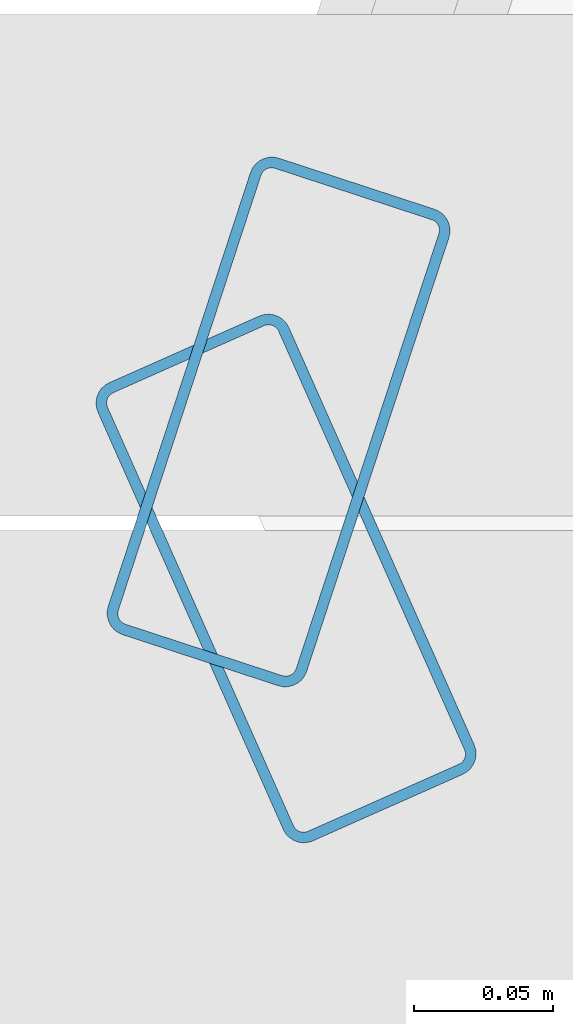
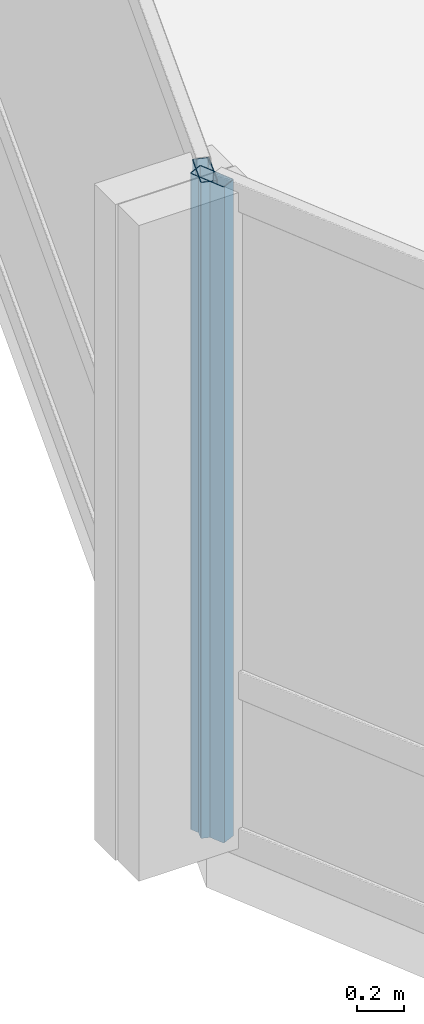
# One storey, part 6 of 34: 2 members, 2 elements without a shape of their own.
"""IFC4 building model written with IfcOpenShell, lengths in metres."""

import ifcopenshell
import ifcopenshell.guid

model = None  # the IFC model being written
_history = None  # IfcOwnerHistory: only IFC2X3 demands one
_inside = {}  # id of a spatial element -> (the spatial element, [elements in it])
_under = {}  # id of a project, library or spatial element -> (it, [spatial elements below it])
_declared = {}  # id of a project -> (the project, [libraries it declares])
_typed = {}  # id of a type object -> (the type object, [elements of that type])
_made_of = {}  # id of a material, layer set ... -> (it, [elements and type objects made of it])


def new_model(schema):
    """Start an empty IFC model of exactly this schema.

    Asked for "IFC4X3", IfcOpenShell would pick the latest addendum, in which some entities
    have other attributes; the version numbers below select the first issue.
    IFC2X3 requires an IfcOwnerHistory on every rooted entity: one is made here for all.
    """
    global model, _history
    if schema == "IFC4X3":
        model = ifcopenshell.file(schema_version=(4, 3, 0, 0))
    else:
        model = ifcopenshell.file(schema=schema)
    _inside.clear()
    _under.clear()
    _declared.clear()
    _typed.clear()
    _made_of.clear()
    _history = None
    if model.schema == "IFC2X3":
        org = make("IfcOrganization", Name="unknown")
        user = make(
            "IfcPersonAndOrganization",
            ThePerson=make("IfcPerson", FamilyName="unknown"),
            TheOrganization=org,
        )
        app = make(
            "IfcApplication",
            ApplicationDeveloper=org,
            Version="unknown",
            ApplicationFullName="unknown",
            ApplicationIdentifier="unknown",
        )
        _history = make(
            "IfcOwnerHistory",
            OwningUser=user,
            OwningApplication=app,
            ChangeAction="ADDED",
            CreationDate=0,
        )
    return model


def make(cls, **values):
    """One entity of the class cls with the attributes given. An attribute that is None is left unset."""
    return model.create_entity(
        cls, **{name: value for name, value in values.items() if value is not None}
    )


def rooted(cls, **values):
    """An entity with a GlobalId (a new one), such as an element, a storey or a relation."""
    return make(cls, GlobalId=ifcopenshell.guid.new(), OwnerHistory=_history, **values)


def si_unit(unit_type, name, prefix=None):
    """IfcSIUnit, for example si_unit("LENGTHUNIT", "METRE", prefix="MILLI")."""
    return make("IfcSIUnit", UnitType=unit_type, Prefix=prefix, Name=name)


def assignment(units):
    """IfcUnitAssignment: the units of a project."""
    return None if units is None else make("IfcUnitAssignment", Units=units)


def point(xyz):
    """IfcCartesianPoint."""
    return None if xyz is None else make("IfcCartesianPoint", Coordinates=xyz)


def direction(xyz):
    """IfcDirection."""
    return None if xyz is None else make("IfcDirection", DirectionRatios=xyz)


def frame(location, z_axis=None, x_axis=None):
    """IfcAxis2Placement3D, a coordinate frame: its origin and axes. An axis left out is left unset."""
    return make(
        "IfcAxis2Placement3D",
        Location=point(location),
        Axis=direction(z_axis),
        RefDirection=direction(x_axis),
    )


def frame_2d(location, x_axis=None):
    """IfcAxis2Placement2D, a coordinate frame in the plane: its origin and x axis."""
    return make(
        "IfcAxis2Placement2D", Location=point(location), RefDirection=direction(x_axis)
    )


def origin():
    """The frame at (0, 0, 0) with its axes left unset."""
    return frame((0.0, 0.0, 0.0))


def origin_2d():
    """The frame at (0, 0) in the plane with its x axis left unset."""
    return frame_2d((0.0, 0.0))


def place(relative_to, where):
    """IfcLocalPlacement: puts the frame where relative to a parent placement (None: the world)."""
    return make(
        "IfcLocalPlacement", PlacementRelTo=relative_to, RelativePlacement=where
    )


def context(
    kind, dimensions, precision=None, world=None, true_north=None, identifier=None
):
    """IfcGeometricRepresentationContext, for example the 3D "Model" context."""
    return make(
        "IfcGeometricRepresentationContext",
        ContextIdentifier=identifier,
        ContextType=kind,
        CoordinateSpaceDimension=dimensions,
        Precision=precision,
        WorldCoordinateSystem=world,
        TrueNorth=true_north,
    )


def subcontext(parent, identifier, kind, view, scale=None):
    """IfcGeometricRepresentationSubContext, for example "Body" below "Model"."""
    return make(
        "IfcGeometricRepresentationSubContext",
        ContextIdentifier=identifier,
        ContextType=kind,
        ParentContext=parent,
        TargetScale=scale,
        TargetView=view,
    )


def project(units=None, contexts=None):
    """IfcProject with its units and contexts."""
    return rooted(
        "IfcProject",
        Name="project",
        RepresentationContexts=contexts,
        UnitsInContext=assignment(units),
    )


def spatial(cls, under=None, at=None, **own):
    """A site, building, storey or space (cls), placed at a placement, below another one or the project."""
    s = rooted(cls, ObjectPlacement=at, **own)
    if under is not None:
        _under.setdefault(under.id(), (under, []))[1].append(s)
    return s


def profile(cls, at=None, kind="AREA", **sizes):
    """A parametric profile (cls). Its sizes go by their IFC names, for example OverallWidth=200.0."""
    return make(cls, ProfileType=kind, Position=at, **sizes)


def hollow_rectangle(**sizes):
    """IfcRectangleHollowProfileDef."""
    return profile("IfcRectangleHollowProfileDef", **sizes)


def extrude(swept, where, along, depth):
    """IfcExtrudedAreaSolid: the profile swept, set in the frame where, extruded along a direction by depth."""
    return make(
        "IfcExtrudedAreaSolid",
        SweptArea=swept,
        Position=where,
        ExtrudedDirection=direction(along),
        Depth=depth,
    )


def shape(context_of_items, identifier, shape_type, items):
    """IfcShapeRepresentation: the items that make up one representation, for example the "Body"."""
    return make(
        "IfcShapeRepresentation",
        ContextOfItems=context_of_items,
        RepresentationIdentifier=identifier,
        RepresentationType=shape_type,
        Items=items,
    )


def material(Name=None, Category=None):
    """IfcMaterial."""
    return make("IfcMaterial", Name=Name, Category=Category)


def layer(
    of_material, thickness, ventilated=None, Name=None, Category=None, Priority=None
):
    """IfcMaterialLayer: one layer of a wall or slab, of a material (None: an air gap)."""
    return make(
        "IfcMaterialLayer",
        Material=of_material,
        LayerThickness=thickness,
        IsVentilated=ventilated,
        Name=Name,
        Category=Category,
        Priority=Priority,
    )


def layer_set(layers, Name=None):
    """IfcMaterialLayerSet."""
    return make("IfcMaterialLayerSet", MaterialLayers=layers, LayerSetName=Name)


def material_profile(
    of_material, cross_section, Name=None, Category=None, Priority=None
):
    """IfcMaterialProfile: a cross section and its material."""
    return make(
        "IfcMaterialProfile",
        Name=Name,
        Material=of_material,
        Profile=cross_section,
        Priority=Priority,
        Category=Category,
    )


def profile_set(profiles, Name=None, composite=None):
    """IfcMaterialProfileSet."""
    return make(
        "IfcMaterialProfileSet",
        Name=Name,
        MaterialProfiles=profiles,
        CompositeProfile=composite,
    )


def made_of(thing, what):
    """Note that an element or type object is made of a material, layer set ...; save() writes the relation."""
    if what is not None:
        _made_of.setdefault(what.id(), (what, []))[1].append(thing)
    return thing


def type_object(cls, material=None, **own):
    """A type object (cls), such as IfcWallType, which elements share."""
    return made_of(rooted(cls, **own), material)


def element(
    cls,
    number,
    at=None,
    inside=None,
    cuts=None,
    type_object=None,
    material=None,
    context=None,
    identifier="Body",
    shape_type=None,
    held_by="IfcProductDefinitionShape",
    body=None,
    shapes=None,
    **own,
):
    """One element of the class cls, such as IfcWall. Its Tag is "e" and its number.

    at: its placement. inside: the storey or other place that contains it. cuts: it is an
    opening in that element (IfcRelVoidsElement). A single representation is given by context,
    identifier, shape_type and body (its items); several are given by shapes. held_by: the class
    of the entity that holds the representations. save() writes the other relations.
    """
    e = rooted(cls, Tag="e%d" % number, ObjectPlacement=at, **own)
    if body is not None:
        shapes = [shape(context, identifier, shape_type, body)]
    if shapes is not None:
        e.Representation = make(held_by, Representations=shapes)
    if inside is not None:
        _inside.setdefault(inside.id(), (inside, []))[1].append(e)
    if cuts is not None:
        rooted(
            "IfcRelVoidsElement", RelatingBuildingElement=cuts, RelatedOpeningElement=e
        )
    if type_object is not None:
        _typed.setdefault(type_object.id(), (type_object, []))[1].append(e)
    return made_of(e, material)


def aggregate(whole, parts):
    """IfcRelAggregates: a whole, such as a stair, and the parts it consists of."""
    return rooted("IfcRelAggregates", RelatingObject=whole, RelatedObjects=parts)


def save(model, path):
    """Write the relations noted so far, then the file.

    IfcRelAggregates (storeys below a building ...), IfcRelContainedInSpatialStructure (elements
    in a storey), IfcRelDefinesByType, IfcRelAssociatesMaterial and IfcRelDeclares: one each for
    every whole, place, type object, material and project.
    """
    for whole, parts in _under.values():
        aggregate(whole, parts)
    for where, things in _inside.values():
        rooted(
            "IfcRelContainedInSpatialStructure",
            RelatedElements=things,
            RelatingStructure=where,
        )
    for kind, things in _typed.values():
        rooted("IfcRelDefinesByType", RelatedObjects=things, RelatingType=kind)
    for what, things in _made_of.values():
        rooted("IfcRelAssociatesMaterial", RelatedObjects=things, RelatingMaterial=what)
    for by, libraries in _declared.values():
        rooted("IfcRelDeclares", RelatingContext=by, RelatedDefinitions=libraries)
    model.write(path)


model = new_model("IFC4")

# Units and contexts
model_context = context("Model", 3, precision=1e-05, world=origin(), true_north=direction((0.0, 1.0)))
body_context = subcontext(model_context, "Body", "Model", "MODEL_VIEW")
ifc_project = project(units=[si_unit("LENGTHUNIT", "METRE"), si_unit("AREAUNIT", "SQUARE_METRE"), si_unit("VOLUMEUNIT", "CUBIC_METRE"), si_unit("PLANEANGLEUNIT", "RADIAN"), si_unit("MASSUNIT", "GRAM", prefix="KILO")], contexts=[model_context])

# Site, building, storey
site_placement = place(None, origin())
site = spatial("IfcSite", under=ifc_project, at=site_placement, CompositionType="ELEMENT")
building_placement = place(site_placement, origin())
building = spatial("IfcBuilding", under=site, at=building_placement, Name="Solvaryn Broadcast Tower", CompositionType="ELEMENT")
storey_placement = place(building_placement, frame((0.0, 0.0, 61.89990234375)))
storey = spatial("IfcBuildingStorey", under=building, at=storey_placement, Name="L14", CompositionType="ELEMENT", Elevation=61.89990234375)

# Curtain wall, member
ifc_material_1 = material(Name="Aluminium and Terracotta Unitised Curtain Wall", Category="masonry")
ifc_layer = layer(ifc_material_1, 0.199951171875)
ifc_layer_set = layer_set([ifc_layer], Name="CW-SYS2-LOWMID")
curtain_wall_type = type_object("IfcCurtainWallType", Name="CW-SYS2-LOWMID", PredefinedType="NOTDEFINED", material=ifc_layer_set)
curtain_wall_1_placement = place(storey_placement, origin())
curtain_wall_1 = element("IfcCurtainWall", 1, at=curtain_wall_1_placement, inside=storey, type_object=curtain_wall_type, Name="L14 Curtain Wall DR1", PredefinedType="NOTDEFINED")
ifc_material_2 = material(Name="Anodised Aluminium 6063-T6", Category="aluminium")
ifc_material_profile = material_profile(ifc_material_2, hollow_rectangle(XDim=0.074951171875, YDim=0.179931640625, WallThickness=0.00390625, InnerFilletRadius=0.00390625, OuterFilletRadius=0.008056640625, at=origin_2d()))
ifc_profile_set = profile_set([ifc_material_profile], Name="Anodised Aluminium 6063-T6")
member_type = type_object("IfcMemberType", Name="CW-MUL-180", PredefinedType="MULLION", material=ifc_profile_set)
member_1_placement = place(storey_placement, frame((-0.45458984375, 26.588623046875, 0.0), z_axis=(0.0, 0.0, 1.0), x_axis=(0.950215318429, -0.311594044587, 0.0)))
member_1 = element("IfcMember", 2, at=member_1_placement, type_object=member_type, Name="CWS2 mullion 2", PredefinedType="MULLION", context=body_context, shape_type="SweptSolid", body=[
    extrude(hollow_rectangle(XDim=0.074951171875, YDim=0.179931640625, WallThickness=0.00390625, InnerFilletRadius=0.00390625, OuterFilletRadius=0.008056640625, at=origin_2d()), origin(), (0.0, 0.0, 1.0), 3.420166015625),
])
aggregate(curtain_wall_1, [member_1])

curtain_wall_2_placement = place(storey_placement, origin())
curtain_wall_2 = element("IfcCurtainWall", 3, at=curtain_wall_2_placement, inside=storey, type_object=curtain_wall_type, Name="L14 Curtain Wall DR2", PredefinedType="NOTDEFINED")
member_2_placement = place(storey_placement, frame((-0.451904296875, 26.532470703125, 0.0), z_axis=(0.0, 0.0, 1.0), x_axis=(0.913918257271, 0.405898286554, 0.0)))
member_2 = element("IfcMember", 4, at=member_2_placement, type_object=member_type, Name="CWS2 mullion 1", PredefinedType="MULLION", context=body_context, shape_type="SweptSolid", body=[
    extrude(hollow_rectangle(XDim=0.074951171875, YDim=0.179931640625, WallThickness=0.00390625, InnerFilletRadius=0.00390625, OuterFilletRadius=0.008056640625, at=origin_2d()), origin(), (0.0, 0.0, 1.0), 3.420166015625),
])
aggregate(curtain_wall_2, [member_2])

save(model, "model.ifc")
